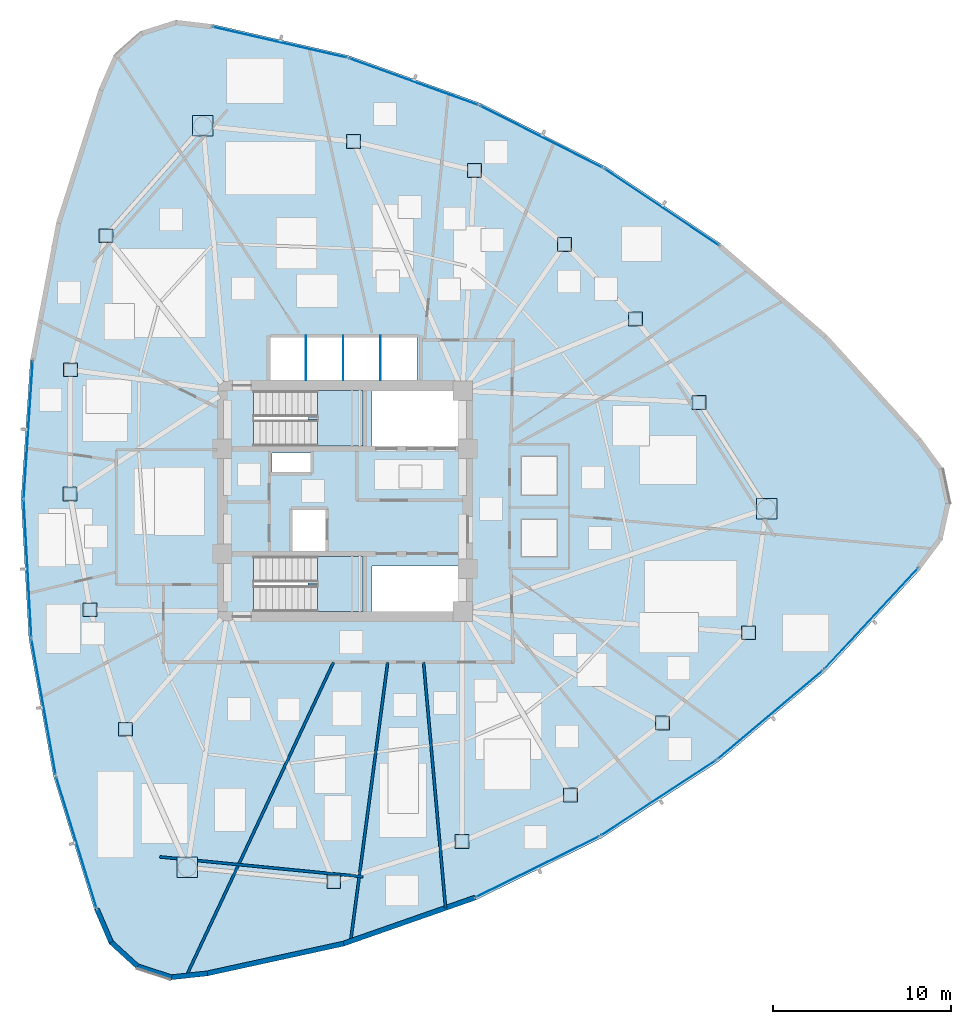
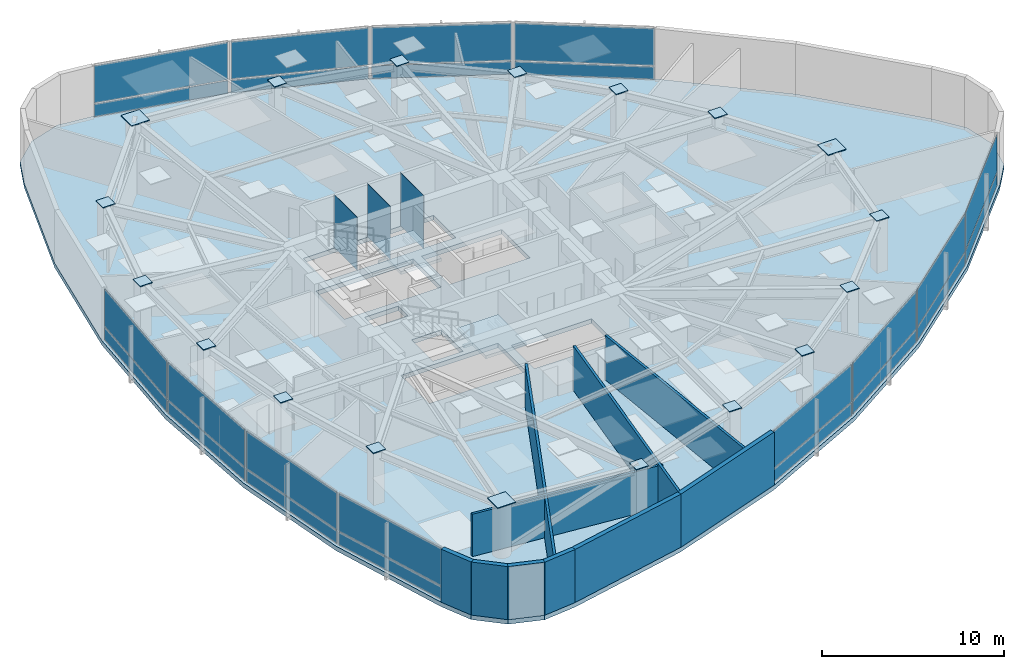
# One storey, part 11 of 18: 45 plates, 10 walls, 3 slabs, 14 elements without a shape of their own.
"""IFC4 building model written with IfcOpenShell, lengths in metres."""

from ifc_helpers import new_model, si_unit, direction, frame, frame_2d, origin, origin_2d, place, context, subcontext, project, spatial, polyline, rectangle, outline, extrude, source, transform, mapped, material, layer, layer_set, type_object, type_shapes, element, aggregate, save


model = new_model("IFC4")

# Units and contexts
model_context = context("Model", 3, precision=1e-05, world=origin(), true_north=direction((0.0, 1.0)))
body_context = subcontext(model_context, "Body", "Model", "MODEL_VIEW")
ifc_project = project(units=[si_unit("LENGTHUNIT", "METRE"), si_unit("AREAUNIT", "SQUARE_METRE"), si_unit("VOLUMEUNIT", "CUBIC_METRE"), si_unit("PLANEANGLEUNIT", "RADIAN"), si_unit("MASSUNIT", "GRAM", prefix="KILO")], contexts=[model_context])

# Site, building, storey
site_placement = place(None, origin())
site = spatial("IfcSite", under=ifc_project, at=site_placement, CompositionType="ELEMENT")
building_placement = place(site_placement, origin())
building = spatial("IfcBuilding", under=site, at=building_placement, Name="Tavelor Broadcast Tower", CompositionType="ELEMENT")
storey_placement = place(building_placement, frame((0.0, 0.0, 157.949951171875)))
storey = spatial("IfcBuildingStorey", under=building, at=storey_placement, Name="L37", CompositionType="ELEMENT", Elevation=157.949951171875)

# Stair, slab
ifc_material_1 = material(Name="Concrete C40/50", Category="concrete")
stair_type = type_object("IfcStairType", Name="Reinforced Concrete Protected Dogleg Stair 1450 mm", PredefinedType="HALF_TURN_STAIR", material=ifc_material_1)
stair_1_placement = place(storey_placement, origin())
stair_1 = element("IfcStair", 1, at=stair_1_placement, inside=storey, type_object=stair_type, Name="L37 Protected Core Exit Stair ST1", PredefinedType="HALF_TURN_STAIR")
ifc_layer_1 = layer(ifc_material_1, 0.199951171875)
ifc_layer_set_1 = layer_set([ifc_layer_1], Name="Concrete C40/50")
slab_type_1 = type_object("IfcSlabType", Name="Reinforced Concrete Stair Half-Landing Slab 200 mm", PredefinedType="LANDING", material=ifc_layer_set_1)
slab_1_placement = place(storey_placement, frame((0.0, 0.0, 1.72509765625)))
slab_1 = element("IfcSlab", 2, at=slab_1_placement, type_object=slab_type_1, Name="ST1 landing 1", PredefinedType="LANDING", context=body_context, shape_type="SweptSolid", body=[
    extrude(outline(polyline([(48.445068359375, 49.590087890625), (48.445068359375, 48.094970703125), (51.0048828125, 48.094970703125), (51.0048828125, 51.205078125), (48.445068359375, 51.205078125), (48.445068359375, 49.7099609375), (47.905029296875, 49.7099609375), (47.905029296875, 49.590087890625), (48.445068359375, 49.590087890625)])), origin(), (0.0, 0.0, 1.0), 0.199951171875),
])
aggregate(stair_1, [slab_1])

stair_2_placement = place(storey_placement, origin())
stair_2 = element("IfcStair", 3, at=stair_2_placement, inside=storey, type_object=stair_type, Name="L37 Protected Core Exit Stair ST2", PredefinedType="HALF_TURN_STAIR")
slab_2_placement = place(storey_placement, frame((0.0, 0.0, 1.72509765625)))
slab_2 = element("IfcSlab", 4, at=slab_2_placement, type_object=slab_type_1, Name="ST2 landing 1", PredefinedType="LANDING", context=body_context, shape_type="SweptSolid", body=[
    extrude(outline(polyline([(48.445068359375, 40.2900390625), (48.445068359375, 38.794921875), (51.0048828125, 38.794921875), (51.0048828125, 41.905029296875), (48.445068359375, 41.905029296875), (48.445068359375, 40.409912109375), (47.905029296875, 40.409912109375), (47.905029296875, 40.2900390625), (48.445068359375, 40.2900390625)])), origin(), (0.0, 0.0, 1.0), 0.199951171875),
])
aggregate(stair_2, [slab_2])

# Slab
ifc_layer_2 = layer(ifc_material_1, 0.300048828125)
ifc_layer_set_2 = layer_set([ifc_layer_2], Name="Concrete C40/50")
slab_type_2 = type_object("IfcSlabType", Name="Tower Composite Floor Slab 300 mm", PredefinedType="FLOOR", material=ifc_layer_set_2)
slab_3_placement = place(storey_placement, frame((0.0, 0.0, -0.300048828125)))
element("IfcSlab", 5, at=slab_3_placement, inside=storey, type_object=slab_type_2, Name="L37 Structural Floor Slab", PredefinedType="FLOOR", context=body_context, shape_type="SweptSolid", body=[
    extrude(outline(polyline([(42.552978515625, 71.7861328125), (40.504638671875, 72.028564453125), (38.5380859375, 71.406494140625), (37.00146484375, 70.0302734375), (36.16748046875, 68.143798828125), (33.783203125, 60.662841796875), (32.322021484375, 52.948486328125), (31.80517578125, 45.114013671875), (32.239990234375, 37.274658203125), (33.620361328125, 29.54541015625), (35.926025390625, 22.0400390625), (36.740234375, 20.144775390625), (38.26220703125, 18.752685546875), (40.222412109375, 18.110107421875), (42.273193359375, 18.3310546875), (49.94384765625, 20.0068359375), (57.355224609375, 22.598388671875), (64.398681640625, 26.068115234375), (70.97021484375, 30.364501953125), (76.973876953125, 35.42431640625), (82.32080078125, 41.173828125), (83.55517578125, 42.82666015625), (83.999755859375, 44.8408203125), (83.576171875, 46.859619140625), (82.359375, 48.525146484375), (77.07275390625, 54.330322265625), (71.12255859375, 59.452880859375), (64.59619140625, 63.81787109375), (57.589599609375, 67.36083984375), (50.205810546875, 70.030029296875), (42.552978515625, 71.7861328125)]), holes=[polyline([(56.60009765625, 41.35009765625), (56.60009765625, 38.800048828125), (51.52001953125, 38.800048828125), (51.52001953125, 41.35009765625), (56.60009765625, 41.35009765625)]), polyline([(50.99609375, 38.803955078125), (44.85400390625, 38.803955078125), (44.85400390625, 41.89599609375), (50.99609375, 41.89599609375), (50.99609375, 38.803955078125)]), polyline([(47.050048828125, 42.199951171875), (47.050048828125, 44.550048828125), (48.949951171875, 44.550048828125), (48.949951171875, 42.199951171875), (47.050048828125, 42.199951171875)]), polyline([(48.050048828125, 46.64990234375), (45.89990234375, 46.64990234375), (45.89990234375, 47.699951171875), (48.050048828125, 47.699951171875), (48.050048828125, 46.64990234375)]), polyline([(50.99609375, 48.10400390625), (44.85400390625, 48.10400390625), (44.85400390625, 51.196044921875), (50.99609375, 51.196044921875), (50.99609375, 48.10400390625)]), polyline([(56.60009765625, 48.10009765625), (51.52001953125, 48.10009765625), (51.52001953125, 51.199951171875), (56.60009765625, 51.199951171875), (56.60009765625, 48.10009765625)]), polyline([(54.050048828125, 51.800048828125), (45.800048828125, 51.800048828125), (45.800048828125, 54.25), (54.050048828125, 54.25), (54.050048828125, 51.800048828125)])]), origin(), (0.0, 0.0, 1.0), 0.300048828125),
])

# Plates
ifc_material_2 = material(Name="Steel S460", Category="steel")
ifc_layer_3 = layer(ifc_material_2, 0.050048828125)
ifc_layer_set_3 = layer_set([ifc_layer_3], Name="Steel S460")
plate_type_1 = type_object("IfcPlateType", Name="Tube Hollow-End Cap Plate KN05 700x700x50", PredefinedType="USERDEFINED", material=ifc_layer_set_3)
shared_shape_1 = source(origin(), body_context, "Body", "SweptSolid", [
    extrude(rectangle(XDim=1.14697265625, YDim=1.14697265625, at=origin_2d()), origin(), (0.0, 0.0, 1.0), 0.054931640625),
])
for number, where, z_axis, x_axis, name in (
    (6, (42.01123046875, 66.080078125, 3.5224609375), (0.0, 0.0, 1.0), (1.0, 0.0, 0.0), "L37 Hollow End Cap Plate KN05 #1053"),
    (7, (41.138671875, 24.423828125, 3.5224609375), (0.0, 0.0, 1.0), (1.0, 0.0, 0.0), "L37 Hollow End Cap Plate KN05 #1059"),
    (8, (73.676025390625, 44.57958984375, 3.5224609375), (0.0, 0.0, 1.0), (1.0, 0.0, 0.0), "L37 Hollow End Cap Plate KN05 #1065"),
):
    element("IfcPlate", number, at=place(storey_placement, frame(where, z_axis=z_axis, x_axis=x_axis)), inside=storey, type_object=plate_type_1, Name=name, ObjectType="CAP PLATE", PredefinedType="USERDEFINED", context=body_context, shape_type="MappedRepresentation", body=[
        mapped(shared_shape_1, transform((0.0, 0.0, 0.0), scale=1.0)),
    ])
shared_shape_2 = source(origin(), body_context, "Body", "SweptSolid", [
    extrude(rectangle(XDim=0.780029296875, YDim=0.780029296875, at=origin_2d()), origin(), (0.0, 0.0, 1.0), 0.054931640625),
])
type_shapes(plate_type_1, [shared_shape_1, shared_shape_2])
for number, where, z_axis, x_axis, name in (
    (9, (36.567626953125, 59.91064453125, 3.5224609375), (0.0, 0.0, 1.0), (1.0, 0.0, 0.0), "L37 Hollow End Cap Plate KN05 #1054"),
    (10, (34.5751953125, 52.37939453125, 3.5224609375), (0.0, 0.0, 1.0), (1.0, 0.0, 0.0), "L37 Hollow End Cap Plate KN05 #1055"),
    (11, (34.54638671875, 45.399169921875, 3.5224609375), (0.0, 0.0, 1.0), (1.0, 0.0, 0.0), "L37 Hollow End Cap Plate KN05 #1056"),
    (12, (35.680908203125, 38.89990234375, 3.5224609375), (0.0, 0.0, 1.0), (1.0, 0.0, 0.0), "L37 Hollow End Cap Plate KN05 #1057"),
    (13, (37.668212890625, 32.1904296875, 3.5224609375), (0.0, 0.0, 1.0), (1.0, 0.0, 0.0), "L37 Hollow End Cap Plate KN05 #1058"),
    (14, (49.366455078125, 23.618896484375, 3.5224609375), (0.0, 0.0, 1.0), (1.0, 0.0, 0.0), "L37 Hollow End Cap Plate KN05 #1060"),
    (15, (56.56103515625, 25.872802734375, 3.5224609375), (0.0, 0.0, 1.0), (1.0, 0.0, 0.0), "L37 Hollow End Cap Plate KN05 #1061"),
    (16, (62.669189453125, 28.503173828125, 3.5224609375), (0.0, 0.0, 1.0), (1.0, 0.0, 0.0), "L37 Hollow End Cap Plate KN05 #1062"),
    (17, (67.84228515625, 32.53173828125, 3.5224609375), (0.0, 0.0, 1.0), (1.0, 0.0, 0.0), "L37 Hollow End Cap Plate KN05 #1063"),
    (18, (72.6591796875, 37.607421875, 3.5224609375), (0.0, 0.0, 1.0), (1.0, 0.0, 0.0), "L37 Hollow End Cap Plate KN05 #1064"),
    (19, (69.885986328125, 50.544189453125, 3.5224609375), (0.0, 0.0, 1.0), (1.0, 0.0, 0.0), "L37 Hollow End Cap Plate KN05 #1066"),
    (20, (66.322021484375, 55.228759765625, 3.5224609375), (0.0, 0.0, 1.0), (1.0, 0.0, 0.0), "L37 Hollow End Cap Plate KN05 #1067"),
    (21, (62.330810546875, 59.416259765625, 3.5224609375), (0.0, 0.0, 1.0), (1.0, 0.0, 0.0), "L37 Hollow End Cap Plate KN05 #1068"),
    (22, (57.276611328125, 63.568359375, 3.5224609375), (0.0, 0.0, 1.0), (1.0, 0.0, 0.0), "L37 Hollow End Cap Plate KN05 #1069"),
    (23, (50.472412109375, 65.2021484375, 3.5224609375), (0.0, 0.0, 1.0), (1.0, 0.0, 0.0), "L37 Hollow End Cap Plate KN05 #1070"),
):
    element("IfcPlate", number, at=place(storey_placement, frame(where, z_axis=z_axis, x_axis=x_axis)), inside=storey, type_object=plate_type_1, Name=name, ObjectType="CAP PLATE", PredefinedType="USERDEFINED", context=body_context, shape_type="MappedRepresentation", body=[
        mapped(shared_shape_2, transform((0.0, 0.0, 0.0), scale=1.0)),
    ])
ifc_material_3 = material(Name="Steel S355", Category="steel")
ifc_layer_4 = layer(ifc_material_3, 0.011962890625)
ifc_layer_set_4 = layer_set([ifc_layer_4], Name="Steel S355")
plate_type_2 = type_object("IfcPlateType", Name="Hoistway Steel Separator Screen 12 mm", PredefinedType="SHEET", material=ifc_layer_set_4)
shared_shape_3 = source(origin(), body_context, "Body", "SweptSolid", [
    extrude(rectangle(XDim=0.02001953125, YDim=2.52001953125, at=origin_2d()), origin(), (0.0, 0.0, 1.0), 3.550048828125),
])
type_shapes(plate_type_2, [shared_shape_3])
for number, where, z_axis, x_axis, name in (
    (24, (47.800048828125, 53.0400390625, 0.0), (0.0, 0.0, 1.0), (1.0, 0.0, 0.0), "L37 High-Rise Hoistway Separator Screen 1"),
    (25, (49.89990234375, 53.0400390625, 0.0), (0.0, 0.0, 1.0), (1.0, 0.0, 0.0), "L37 High-Rise Hoistway Separator Screen 2"),
    (26, (52.0, 53.0400390625, 0.0), (0.0, 0.0, 1.0), (1.0, 0.0, 0.0), "L37 High-Rise Hoistway Separator Screen 3"),
):
    element("IfcPlate", number, at=place(storey_placement, frame(where, z_axis=z_axis, x_axis=x_axis)), inside=storey, type_object=plate_type_2, Name=name, PredefinedType="SHEET", context=body_context, shape_type="MappedRepresentation", body=[
        mapped(shared_shape_3, transform((0.0, 0.0, 0.0), scale=1.0)),
    ])

# Curtain wall, plate
ifc_material_4 = material(Name="Architectural Anodized Aluminium", Category="aluminium")
ifc_layer_5 = layer(ifc_material_4, 0.18994140625)
ifc_layer_set_5 = layer_set([ifc_layer_5], Name="Architectural Anodized Aluminium")
curtain_wall_type = type_object("IfcCurtainWallType", Name="Tower Mid-Zone Acoustic Curtain Wall CW03", PredefinedType="NOTDEFINED", material=ifc_layer_set_5)
curtain_wall_1_placement = place(storey_placement, origin())
curtain_wall_1 = element("IfcCurtainWall", 27, at=curtain_wall_1_placement, inside=storey, type_object=curtain_wall_type, Name="L37 Curtain Wall CW03 Run 385", PredefinedType="NOTDEFINED")
ifc_material_5 = material(Name="Solar Control Double Glazing 30 mm", Category="glass")
ifc_layer_6 = layer(ifc_material_5, 0.030029296875)
ifc_layer_set_6 = layer_set([ifc_layer_6], Name="Solar Control Double Glazing 30 mm")
plate_type_3 = type_object("IfcPlateType", Name="CW03 Insulated Vision Glazing Panel 30 mm", PredefinedType="CURTAIN_PANEL", material=ifc_layer_set_6)
shared_shape_4 = source(origin(), body_context, "Body", "SweptSolid", [
    extrude(rectangle(XDim=7.68359375, YDim=0.030029296875, at=origin_2d()), origin(), (0.0, 0.0, 1.0), 0.847900390625),
])
plate_1_placement = place(storey_placement, frame((32.203857421875, 49.029541015625, 0.06787109375), z_axis=(0.0, 0.0, 1.0), x_axis=(-0.065847603119, -0.997829691462, 0.0)))
plate_1 = element("IfcPlate", 28, at=plate_1_placement, type_object=plate_type_3, Name="CW03 panel 1.1", PredefinedType="CURTAIN_PANEL", context=body_context, shape_type="MappedRepresentation", body=[
    mapped(shared_shape_4, transform((0.0, 0.0, 0.0), scale=1.0)),
])

curtain_wall_2_placement = place(storey_placement, origin())
curtain_wall_2 = element("IfcCurtainWall", 29, at=curtain_wall_2_placement, inside=storey, type_object=curtain_wall_type, Name="L37 Curtain Wall CW03 Run 389", PredefinedType="NOTDEFINED")
plate_2_placement = place(storey_placement, frame((60.808349609375, 24.45556640625, 0.06787109375), z_axis=(0.0, 0.0, 1.0), x_axis=(0.897066334958, 0.441895904807, 0.0)))
plate_2 = element("IfcPlate", 30, at=plate_2_placement, type_object=plate_type_3, Name="CW03 panel 1.1", PredefinedType="CURTAIN_PANEL", context=body_context, shape_type="MappedRepresentation", body=[
    mapped(shared_shape_4, transform((0.0, 0.0, 0.0), scale=1.0)),
])

curtain_wall_3_placement = place(storey_placement, origin())
curtain_wall_3 = element("IfcCurtainWall", 31, at=curtain_wall_3_placement, inside=storey, type_object=curtain_wall_type, Name="L37 Curtain Wall CW03 Run 393", PredefinedType="NOTDEFINED")
plate_3_placement = place(storey_placement, frame((67.787841796875, 61.514892578125, 0.06787109375), z_axis=(0.0, 0.0, 1.0), x_axis=(-0.831219088557, 0.555944985424, 0.0)))
plate_3 = element("IfcPlate", 32, at=plate_3_placement, type_object=plate_type_3, Name="CW03 panel 1.1", PredefinedType="CURTAIN_PANEL", context=body_context, shape_type="MappedRepresentation", body=[
    mapped(shared_shape_4, transform((0.0, 0.0, 0.0), scale=1.0)),
])

# Plate
shared_shape_5 = source(origin(), body_context, "Body", "SweptSolid", [
    extrude(rectangle(XDim=7.68359375, YDim=0.030029296875, at=origin_2d()), origin(), (0.0, 0.0, 1.0), 2.498046875),
])
plate_4_placement = place(storey_placement, frame((32.203857421875, 49.029541015625, 0.984130859375), z_axis=(0.0, 0.0, 1.0), x_axis=(-0.065847603119, -0.997829691462, 0.0)))
plate_4 = element("IfcPlate", 33, at=plate_4_placement, type_object=plate_type_3, Name="CW03 panel 1.2", PredefinedType="CURTAIN_PANEL", context=body_context, shape_type="MappedRepresentation", body=[
    mapped(shared_shape_5, transform((0.0, 0.0, 0.0), scale=1.0)),
])

aggregate(curtain_wall_1, [plate_1, plate_4])

plate_5_placement = place(storey_placement, frame((60.808349609375, 24.45556640625, 0.984130859375), z_axis=(0.0, 0.0, 1.0), x_axis=(0.897066334958, 0.441895904807, 0.0)))
plate_5 = element("IfcPlate", 34, at=plate_5_placement, type_object=plate_type_3, Name="CW03 panel 1.2", PredefinedType="CURTAIN_PANEL", context=body_context, shape_type="MappedRepresentation", body=[
    mapped(shared_shape_5, transform((0.0, 0.0, 0.0), scale=1.0)),
])

aggregate(curtain_wall_2, [plate_2, plate_5])

plate_6_placement = place(storey_placement, frame((67.787841796875, 61.514892578125, 0.984130859375), z_axis=(0.0, 0.0, 1.0), x_axis=(-0.831219088557, 0.555944985424, 0.0)))
plate_6 = element("IfcPlate", 35, at=plate_6_placement, type_object=plate_type_3, Name="CW03 panel 1.2", PredefinedType="CURTAIN_PANEL", context=body_context, shape_type="MappedRepresentation", body=[
    mapped(shared_shape_5, transform((0.0, 0.0, 0.0), scale=1.0)),
])

aggregate(curtain_wall_3, [plate_3, plate_6])

# Curtain wall, plate
curtain_wall_4_placement = place(storey_placement, origin())
curtain_wall_4 = element("IfcCurtainWall", 36, at=curtain_wall_4_placement, inside=storey, type_object=curtain_wall_type, Name="L37 Curtain Wall CW03 Run 386", PredefinedType="NOTDEFINED")
shared_shape_6 = source(origin(), body_context, "Body", "SweptSolid", [
    extrude(rectangle(XDim=7.66845703125, YDim=0.030029296875, at=origin_2d()), origin(), (0.0, 0.0, 1.0), 0.847900390625),
])
plate_7_placement = place(storey_placement, frame((32.162353515625, 41.2021484375, 0.06787109375), z_axis=(0.0, 0.0, 1.0), x_axis=(0.055391248145, -0.998464726282, 0.0)))
plate_7 = element("IfcPlate", 37, at=plate_7_placement, type_object=plate_type_3, Name="CW03 panel 1.1", PredefinedType="CURTAIN_PANEL", context=body_context, shape_type="MappedRepresentation", body=[
    mapped(shared_shape_6, transform((0.0, 0.0, 0.0), scale=1.0)),
])

curtain_wall_5_placement = place(storey_placement, origin())
curtain_wall_5 = element("IfcCurtainWall", 38, at=curtain_wall_5_placement, inside=storey, type_object=curtain_wall_type, Name="L37 Curtain Wall CW03 Run 387", PredefinedType="NOTDEFINED")
plate_8_placement = place(storey_placement, frame((33.068115234375, 33.434814453125, 0.06787109375), z_axis=(0.0, 0.0, 1.0), x_axis=(0.175807490189, -0.984424566127, 0.0)))
plate_8 = element("IfcPlate", 39, at=plate_8_placement, type_object=plate_type_3, Name="CW03 panel 1.1", PredefinedType="CURTAIN_PANEL", context=body_context, shape_type="MappedRepresentation", body=[
    mapped(shared_shape_6, transform((0.0, 0.0, 0.0), scale=1.0)),
])

curtain_wall_6_placement = place(storey_placement, origin())
curtain_wall_6 = element("IfcCurtainWall", 40, at=curtain_wall_6_placement, inside=storey, type_object=curtain_wall_type, Name="L37 Curtain Wall CW03 Run 390", PredefinedType="NOTDEFINED")
plate_9_placement = place(storey_placement, frame((67.60791015625, 28.333251953125, 0.06787109375), z_axis=(0.0, 0.0, 1.0), x_axis=(0.836994217059, 0.547211732887, 0.0)))
plate_9 = element("IfcPlate", 41, at=plate_9_placement, type_object=plate_type_3, Name="CW03 panel 1.1", PredefinedType="CURTAIN_PANEL", context=body_context, shape_type="MappedRepresentation", body=[
    mapped(shared_shape_6, transform((0.0, 0.0, 0.0), scale=1.0)),
])

curtain_wall_7_placement = place(storey_placement, origin())
curtain_wall_7 = element("IfcCurtainWall", 42, at=curtain_wall_7_placement, inside=storey, type_object=curtain_wall_type, Name="L37 Curtain Wall CW03 Run 391", PredefinedType="NOTDEFINED")
plate_10_placement = place(storey_placement, frame((73.8818359375, 33.00146484375, 0.06787109375), z_axis=(0.0, 0.0, 1.0), x_axis=(0.76463634191, 0.644461996266, 0.0)))
plate_10 = element("IfcPlate", 43, at=plate_10_placement, type_object=plate_type_3, Name="CW03 panel 1.1", PredefinedType="CURTAIN_PANEL", context=body_context, shape_type="MappedRepresentation", body=[
    mapped(shared_shape_6, transform((0.0, 0.0, 0.0), scale=1.0)),
])

curtain_wall_8_placement = place(storey_placement, origin())
curtain_wall_8 = element("IfcCurtainWall", 44, at=curtain_wall_8_placement, inside=storey, type_object=curtain_wall_type, Name="L37 Curtain Wall CW03 Run 395", PredefinedType="NOTDEFINED")
plate_11_placement = place(storey_placement, frame((53.85009765625, 68.563720703125, 0.06787109375), z_axis=(0.0, 0.0, 1.0), x_axis=(-0.940439690765, 0.339960568351, 0.0)))
plate_11 = element("IfcPlate", 45, at=plate_11_placement, type_object=plate_type_3, Name="CW03 panel 1.1", PredefinedType="CURTAIN_PANEL", context=body_context, shape_type="MappedRepresentation", body=[
    mapped(shared_shape_6, transform((0.0, 0.0, 0.0), scale=1.0)),
])

# Plate
shared_shape_7 = source(origin(), body_context, "Body", "SweptSolid", [
    extrude(rectangle(XDim=7.66845703125, YDim=0.030029296875, at=origin_2d()), origin(), (0.0, 0.0, 1.0), 2.498046875),
])
plate_12_placement = place(storey_placement, frame((32.162353515625, 41.2021484375, 0.984130859375), z_axis=(0.0, 0.0, 1.0), x_axis=(0.055391248145, -0.998464726282, 0.0)))
plate_12 = element("IfcPlate", 46, at=plate_12_placement, type_object=plate_type_3, Name="CW03 panel 1.2", PredefinedType="CURTAIN_PANEL", context=body_context, shape_type="MappedRepresentation", body=[
    mapped(shared_shape_7, transform((0.0, 0.0, 0.0), scale=1.0)),
])

aggregate(curtain_wall_4, [plate_7, plate_12])

plate_13_placement = place(storey_placement, frame((33.068115234375, 33.434814453125, 0.984130859375), z_axis=(0.0, 0.0, 1.0), x_axis=(0.175807490189, -0.984424566127, 0.0)))
plate_13 = element("IfcPlate", 47, at=plate_13_placement, type_object=plate_type_3, Name="CW03 panel 1.2", PredefinedType="CURTAIN_PANEL", context=body_context, shape_type="MappedRepresentation", body=[
    mapped(shared_shape_7, transform((0.0, 0.0, 0.0), scale=1.0)),
])

aggregate(curtain_wall_5, [plate_8, plate_13])

plate_14_placement = place(storey_placement, frame((67.60791015625, 28.333251953125, 0.984130859375), z_axis=(0.0, 0.0, 1.0), x_axis=(0.836994217059, 0.547211732887, 0.0)))
plate_14 = element("IfcPlate", 48, at=plate_14_placement, type_object=plate_type_3, Name="CW03 panel 1.2", PredefinedType="CURTAIN_PANEL", context=body_context, shape_type="MappedRepresentation", body=[
    mapped(shared_shape_7, transform((0.0, 0.0, 0.0), scale=1.0)),
])

aggregate(curtain_wall_6, [plate_9, plate_14])

plate_15_placement = place(storey_placement, frame((73.8818359375, 33.00146484375, 0.984130859375), z_axis=(0.0, 0.0, 1.0), x_axis=(0.76463634191, 0.644461996266, 0.0)))
plate_15 = element("IfcPlate", 49, at=plate_15_placement, type_object=plate_type_3, Name="CW03 panel 1.2", PredefinedType="CURTAIN_PANEL", context=body_context, shape_type="MappedRepresentation", body=[
    mapped(shared_shape_7, transform((0.0, 0.0, 0.0), scale=1.0)),
])

aggregate(curtain_wall_7, [plate_10, plate_15])

plate_16_placement = place(storey_placement, frame((53.85009765625, 68.563720703125, 0.984130859375), z_axis=(0.0, 0.0, 1.0), x_axis=(-0.940439690765, 0.339960568351, 0.0)))
plate_16 = element("IfcPlate", 50, at=plate_16_placement, type_object=plate_type_3, Name="CW03 panel 1.2", PredefinedType="CURTAIN_PANEL", context=body_context, shape_type="MappedRepresentation", body=[
    mapped(shared_shape_7, transform((0.0, 0.0, 0.0), scale=1.0)),
])

aggregate(curtain_wall_8, [plate_11, plate_16])

# Curtain wall, plate
curtain_wall_9_placement = place(storey_placement, origin())
curtain_wall_9 = element("IfcCurtainWall", 51, at=curtain_wall_9_placement, inside=storey, type_object=curtain_wall_type, Name="L37 Curtain Wall CW03 Run 388", PredefinedType="NOTDEFINED")
shared_shape_8 = source(origin(), body_context, "Body", "SweptSolid", [
    extrude(rectangle(XDim=7.6845703125, YDim=0.030029296875, at=origin_2d()), origin(), (0.0, 0.0, 1.0), 0.847900390625),
])
plate_17_placement = place(storey_placement, frame((34.909423828125, 25.826171875, 0.06787109375), z_axis=(0.0, 0.0, 1.0), x_axis=(0.293651823232, -0.9559124472, 0.0)))
plate_17 = element("IfcPlate", 52, at=plate_17_placement, type_object=plate_type_3, Name="CW03 panel 1.1", PredefinedType="CURTAIN_PANEL", context=body_context, shape_type="MappedRepresentation", body=[
    mapped(shared_shape_8, transform((0.0, 0.0, 0.0), scale=1.0)),
])

curtain_wall_10_placement = place(storey_placement, origin())
curtain_wall_10 = element("IfcCurtainWall", 53, at=curtain_wall_10_placement, inside=storey, type_object=curtain_wall_type, Name="L37 Curtain Wall CW03 Run 396", PredefinedType="NOTDEFINED")
plate_18_placement = place(storey_placement, frame((46.34033203125, 70.7734375, 0.06787109375), z_axis=(0.0, 0.0, 1.0), x_axis=(-0.97466888343, 0.223652783737, 0.0)))
plate_18 = element("IfcPlate", 54, at=plate_18_placement, type_object=plate_type_3, Name="CW03 panel 1.1", PredefinedType="CURTAIN_PANEL", context=body_context, shape_type="MappedRepresentation", body=[
    mapped(shared_shape_8, transform((0.0, 0.0, 0.0), scale=1.0)),
])

# Plate
shared_shape_9 = source(origin(), body_context, "Body", "SweptSolid", [
    extrude(rectangle(XDim=7.6845703125, YDim=0.030029296875, at=origin_2d()), origin(), (0.0, 0.0, 1.0), 2.498046875),
])
plate_19_placement = place(storey_placement, frame((34.909423828125, 25.826171875, 0.984130859375), z_axis=(0.0, 0.0, 1.0), x_axis=(0.293651823232, -0.9559124472, 0.0)))
plate_19 = element("IfcPlate", 55, at=plate_19_placement, type_object=plate_type_3, Name="CW03 panel 1.2", PredefinedType="CURTAIN_PANEL", context=body_context, shape_type="MappedRepresentation", body=[
    mapped(shared_shape_9, transform((0.0, 0.0, 0.0), scale=1.0)),
])

aggregate(curtain_wall_9, [plate_17, plate_19])

plate_20_placement = place(storey_placement, frame((46.34033203125, 70.7734375, 0.984130859375), z_axis=(0.0, 0.0, 1.0), x_axis=(-0.97466888343, 0.223652783737, 0.0)))
plate_20 = element("IfcPlate", 56, at=plate_20_placement, type_object=plate_type_3, Name="CW03 panel 1.2", PredefinedType="CURTAIN_PANEL", context=body_context, shape_type="MappedRepresentation", body=[
    mapped(shared_shape_9, transform((0.0, 0.0, 0.0), scale=1.0)),
])

aggregate(curtain_wall_10, [plate_18, plate_20])

# Curtain wall, plates
curtain_wall_11_placement = place(storey_placement, origin())
curtain_wall_11 = element("IfcCurtainWall", 57, at=curtain_wall_11_placement, inside=storey, type_object=curtain_wall_type, Name="L37 Curtain Wall CW03 Run 392", PredefinedType="NOTDEFINED")
shared_shape_10 = source(origin(), body_context, "Body", "SweptSolid", [
    extrude(rectangle(XDim=7.684326171875, YDim=0.030029296875, at=origin_2d()), origin(), (0.0, 0.0, 1.0), 0.847900390625),
])
plate_21_placement = place(storey_placement, frame((79.55029296875, 38.400390625, 0.06787109375), z_axis=(0.0, 0.0, 1.0), x_axis=(0.681023749823, 0.73226132779, 0.0)))
plate_21 = element("IfcPlate", 58, at=plate_21_placement, type_object=plate_type_3, Name="CW03 panel 1.1", PredefinedType="CURTAIN_PANEL", context=body_context, shape_type="MappedRepresentation", body=[
    mapped(shared_shape_10, transform((0.0, 0.0, 0.0), scale=1.0)),
])
shared_shape_11 = source(origin(), body_context, "Body", "SweptSolid", [
    extrude(rectangle(XDim=7.684326171875, YDim=0.030029296875, at=origin_2d()), origin(), (0.0, 0.0, 1.0), 2.498046875),
])
plate_22_placement = place(storey_placement, frame((79.55029296875, 38.400390625, 0.984130859375), z_axis=(0.0, 0.0, 1.0), x_axis=(0.681023749823, 0.73226132779, 0.0)))
plate_22 = element("IfcPlate", 59, at=plate_22_placement, type_object=plate_type_3, Name="CW03 panel 1.2", PredefinedType="CURTAIN_PANEL", context=body_context, shape_type="MappedRepresentation", body=[
    mapped(shared_shape_11, transform((0.0, 0.0, 0.0), scale=1.0)),
])
aggregate(curtain_wall_11, [plate_21, plate_22])

curtain_wall_12_placement = place(storey_placement, origin())
curtain_wall_12 = element("IfcCurtainWall", 60, at=curtain_wall_12_placement, inside=storey, type_object=curtain_wall_type, Name="L37 Curtain Wall CW03 Run 394", PredefinedType="NOTDEFINED")
shared_shape_12 = source(origin(), body_context, "Body", "SweptSolid", [
    extrude(rectangle(XDim=7.668701171875, YDim=0.030029296875, at=origin_2d()), origin(), (0.0, 0.0, 1.0), 0.847900390625),
])
plate_23_placement = place(storey_placement, frame((61.02978515625, 65.464599609375, 0.06787109375), z_axis=(0.0, 0.0, 1.0), x_axis=(-0.892398746627, 0.451247689212, 0.0)))
plate_23 = element("IfcPlate", 61, at=plate_23_placement, type_object=plate_type_3, Name="CW03 panel 1.1", PredefinedType="CURTAIN_PANEL", context=body_context, shape_type="MappedRepresentation", body=[
    mapped(shared_shape_12, transform((0.0, 0.0, 0.0), scale=1.0)),
])
shared_shape_13 = source(origin(), body_context, "Body", "SweptSolid", [
    extrude(rectangle(XDim=7.668701171875, YDim=0.030029296875, at=origin_2d()), origin(), (0.0, 0.0, 1.0), 2.498046875),
])
type_shapes(plate_type_3, [shared_shape_4, shared_shape_5, shared_shape_6, shared_shape_7, shared_shape_8, shared_shape_9, shared_shape_10, shared_shape_11, shared_shape_12, shared_shape_13])
plate_24_placement = place(storey_placement, frame((61.02978515625, 65.464599609375, 0.984130859375), z_axis=(0.0, 0.0, 1.0), x_axis=(-0.892398746627, 0.451247689212, 0.0)))
plate_24 = element("IfcPlate", 62, at=plate_24_placement, type_object=plate_type_3, Name="CW03 panel 1.2", PredefinedType="CURTAIN_PANEL", context=body_context, shape_type="MappedRepresentation", body=[
    mapped(shared_shape_13, transform((0.0, 0.0, 0.0), scale=1.0)),
])
aggregate(curtain_wall_12, [plate_23, plate_24])

# Walls
ifc_material_6 = material(Name="Precast Concrete C40/50", Category="concrete")
ifc_layer_7 = layer(ifc_material_6, 0.280029296875)
ifc_layer_set_7 = layer_set([ifc_layer_7], Name="Precast Concrete C40/50")
wall_type_1 = type_object("IfcWallType", Name="Insulated Precast Terracotta Facade Wall 280 mm", PredefinedType="STANDARD", material=ifc_layer_set_7)
wall_1_placement = place(storey_placement, frame((36.055908203125, 22.092041015625, 0.0), z_axis=(0.0, 0.0, 1.0), x_axis=(0.394769669198, -0.918780119659, 0.0)))
element("IfcWall", 63, at=wall_1_placement, inside=storey, type_object=wall_type_1, Name="L37 Rounded Corner Structural Cladding Pier 11", PredefinedType="STANDARD", context=body_context, shape_type="SweptSolid", body=[
    extrude(rectangle(XDim=2.0439453125, YDim=0.280029296875, at=frame_2d((1.02197265625, 0.0))), origin(), (0.0, 0.0, 1.0), 3.550048828125),
])
for number, where, z_axis, x_axis, name in (
    (64, (36.845947265625, 20.23779296875, 0.0), (0.0, 0.0, 1.0), (0.737936506997, -0.67487014428, 0.0), "L37 Rounded Corner Structural Cladding Pier 12"),
    (65, (38.3203125, 18.880859375, 0.0), (0.0, 0.0, 1.0), (0.950256936311, -0.31146710098, 0.0), "L37 Rounded Corner Structural Cladding Pier 13"),
):
    element("IfcWall", number, at=place(storey_placement, frame(where, z_axis=z_axis, x_axis=x_axis)), inside=storey, type_object=wall_type_1, Name=name, PredefinedType="STANDARD", context=body_context, shape_type="SweptSolid", body=[
        extrude(rectangle(XDim=2.032470703125, YDim=0.280029296875, at=frame_2d((1.01611328125, 0.0))), origin(), (0.0, 0.0, 1.0), 3.550048828125),
    ])
wall_2_placement = place(storey_placement, frame((40.222412109375, 18.250732421875, 0.0), z_axis=(0.0, 0.0, 1.0), x_axis=(0.99424199171, 0.107158116444, 0.0)))
element("IfcWall", 66, at=wall_2_placement, inside=storey, type_object=wall_type_1, Name="L37 Rounded Corner Structural Cladding Pier 14", PredefinedType="STANDARD", context=body_context, shape_type="SweptSolid", body=[
    extrude(rectangle(XDim=2.054931640625, YDim=0.280029296875, at=frame_2d((1.02734375, 0.0))), origin(), (0.0, 0.0, 1.0), 3.550048828125),
])
wall_3_placement = place(storey_placement, frame((42.236083984375, 18.46630859375, 0.0), z_axis=(0.0, 0.0, 1.0), x_axis=(0.976959310063, 0.213425646259, 0.0)))
element("IfcWall", 67, at=wall_3_placement, inside=storey, type_object=wall_type_1, Name="L37 Rounded Corner Structural Cladding Pier 15", PredefinedType="STANDARD", context=body_context, shape_type="SweptSolid", body=[
    extrude(rectangle(XDim=7.865478515625, YDim=0.280029296875, at=frame_2d((3.9326171875, 0.0))), origin(), (0.0, 0.0, 1.0), 3.550048828125),
])
wall_4_placement = place(storey_placement, frame((49.8916015625, 20.13671875, 0.0), z_axis=(0.0, 0.0, 1.0), x_axis=(0.943939750542, 0.330117777994, 0.0)))
element("IfcWall", 68, at=wall_4_placement, inside=storey, type_object=wall_type_1, Name="L37 Rounded Corner Structural Cladding Pier 16", PredefinedType="STANDARD", context=body_context, shape_type="SweptSolid", body=[
    extrude(rectangle(XDim=7.853271484375, YDim=0.280029296875, at=frame_2d((3.9267578125, 0.0))), origin(), (0.0, 0.0, 1.0), 3.550048828125),
])
ifc_material_7 = material(Name="Gypsum Acoustic Plasterboard 150 mm", Category="gypsum")
ifc_layer_8 = layer(ifc_material_7, 0.14990234375)
ifc_layer_set_8 = layer_set([ifc_layer_8], Name="Gypsum Acoustic Plasterboard 150 mm")
wall_type_2 = type_object("IfcWallType", Name="Interior Acoustic Partition Wall 150 mm", PredefinedType="PARTITIONING", material=ifc_layer_set_8)
wall_5_placement = place(storey_placement, frame((39.589111328125, 25.017578125, 0.0), z_axis=(0.0, 0.0, 1.0), x_axis=(0.99524905582, -0.097361783517, 0.0)))
element("IfcWall", 69, at=wall_5_placement, inside=storey, type_object=wall_type_2, Name="L37 Corner Tube Brace Furring Wall 2", PredefinedType="PARTITIONING", context=body_context, shape_type="SweptSolid", body=[
    extrude(rectangle(XDim=11.467041015625, YDim=0.14990234375, at=frame_2d((5.7333984375, 0.0))), origin(), (0.0, 0.0, 1.0), 2.8349609375),
])
wall_6_placement = place(storey_placement, frame((49.35302734375, 35.949951171875, 0.0), z_axis=(0.0, 0.0, 1.0), x_axis=(-0.424817961967, -0.905278796388, 0.0)))
element("IfcWall", 70, at=wall_6_placement, inside=storey, type_object=wall_type_2, Name="L37 Radial Compartment Wall 09", PredefinedType="PARTITIONING", context=body_context, shape_type="SweptSolid", body=[
    extrude(rectangle(XDim=19.459228515625, YDim=0.14990234375, at=frame_2d((9.7294921875, 0.0))), origin(), (0.0, 0.0, 1.0), 2.8349609375),
])
wall_7_placement = place(storey_placement, frame((52.396484375, 35.949951171875, 0.0), z_axis=(0.0, 0.0, 1.0), x_axis=(-0.131820918517, -0.991273547232, 0.0)))
element("IfcWall", 71, at=wall_7_placement, inside=storey, type_object=wall_type_2, Name="L37 Radial Compartment Wall 10", PredefinedType="PARTITIONING", context=body_context, shape_type="SweptSolid", body=[
    extrude(rectangle(XDim=15.814697265625, YDim=0.14990234375, at=frame_2d((7.9072265625, 0.0))), origin(), (0.0, 0.0, 1.0), 2.97509765625),
])
wall_8_placement = place(storey_placement, frame((54.41015625, 35.949951171875, 0.0), z_axis=(0.0, 0.0, 1.0), x_axis=(0.089159321865, -0.996017377019, 0.0)))
element("IfcWall", 72, at=wall_8_placement, inside=storey, type_object=wall_type_2, Name="L37 Radial Compartment Wall 11", PredefinedType="PARTITIONING", context=body_context, shape_type="SweptSolid", body=[
    extrude(rectangle(XDim=13.866455078125, YDim=0.14990234375, at=frame_2d((6.93310546875, 0.0))), origin(), (0.0, 0.0, 1.0), 2.97509765625),
])

save(model, "model.ifc")
